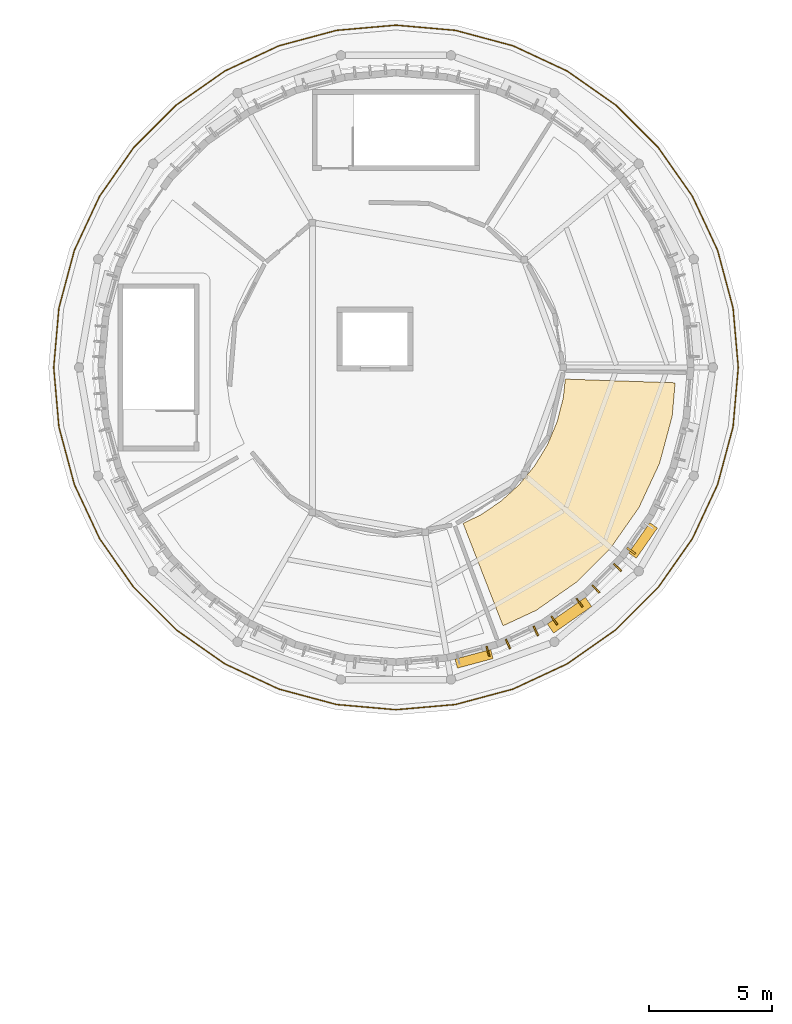
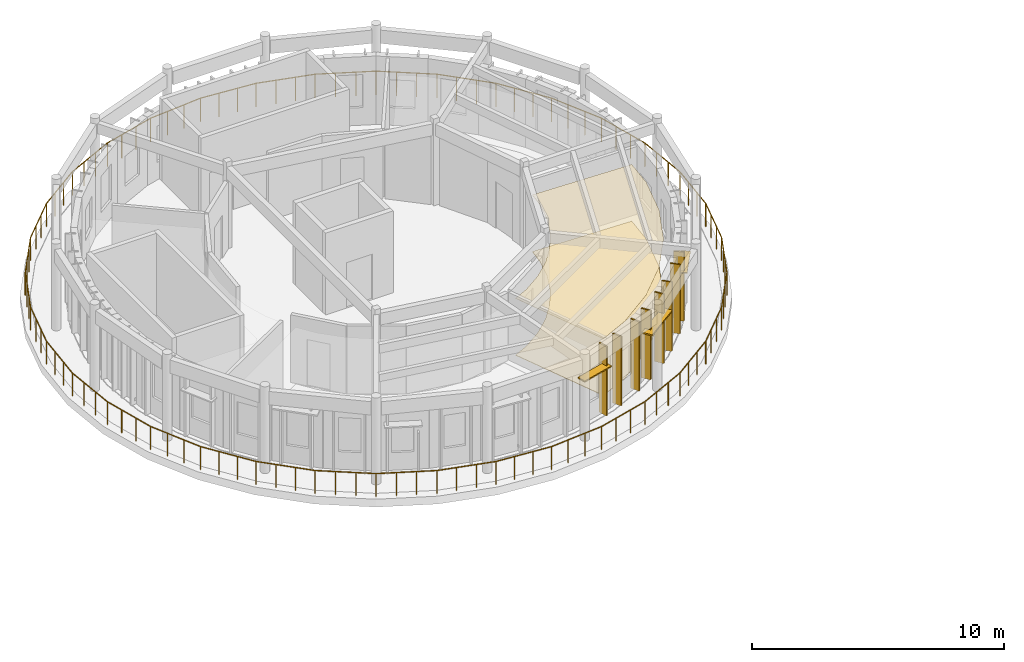
# One storey, part 13 of 14: 11 shading devices, 2 coverings, 1 railing.
"""IFC4 building model written with IfcOpenShell, lengths in metres."""

from ifc_helpers import new_model, si_unit, direction, frame, origin, origin_2d, place, context, subcontext, project, spatial, polyline, rectangle, circle, outline, extrude, material, layer, layer_set, type_object, element, save


model = new_model("IFC4")

# Units and contexts
model_context = context("Model", 3, precision=1e-05, world=origin(), true_north=direction((0.0, 1.0)))
body_context = subcontext(model_context, "Body", "Model", "MODEL_VIEW")
ifc_project = project(units=[si_unit("LENGTHUNIT", "METRE"), si_unit("AREAUNIT", "SQUARE_METRE"), si_unit("VOLUMEUNIT", "CUBIC_METRE"), si_unit("PLANEANGLEUNIT", "RADIAN"), si_unit("MASSUNIT", "GRAM", prefix="KILO")], contexts=[model_context])

# Site, building, storey
site_placement = place(None, origin())
site = spatial("IfcSite", under=ifc_project, at=site_placement, CompositionType="ELEMENT")
building_placement = place(site_placement, origin())
building = spatial("IfcBuilding", under=site, at=building_placement, Name="Aldenvaro Health Centre", CompositionType="ELEMENT")
storey_placement = place(building_placement, frame((0.0, 0.0, 21.35009765625)))
storey = spatial("IfcBuildingStorey", under=building, at=storey_placement, Name="L05", CompositionType="ELEMENT", Elevation=21.35009765625)

# Coverings
ifc_material_1 = material(Name="Antimicrobial Mineral Fibre Ceiling")
ifc_layer_1 = layer(ifc_material_1, 0.01806640625, Name="Antimicrobial Mineral Fibre Ceiling")
ifc_layer_set_1 = layer_set([ifc_layer_1], Name="Antimicrobial Mineral Fibre Ceiling")
covering_type_1 = type_object("IfcCoveringType", Name="COV-CLG-ACT18", PredefinedType="CEILING", material=ifc_layer_set_1)
covering_1_placement = place(storey_placement, frame((0.0, 0.0, 2.75)))
element("IfcCovering", 1, at=covering_1_placement, inside=storey, type_object=covering_type_1, Name="D4-L05-R03 Suspended Ceiling", PredefinedType="CEILING", context=body_context, shape_type="SweptSolid", body=[
    extrude(outline(polyline([(21.90087890625, 93.486083984375), (21.931884765625, 93.5029296875), (22.738037109375, 94.04296875), (22.76611328125, 94.06494140625), (23.485107421875, 94.716064453125), (23.510009765625, 94.740966796875), (24.126953125, 95.490966796875), (24.14697265625, 95.51904296875), (24.64892578125, 96.35009765625), (24.6650390625, 96.381103515625), (25.0419921875, 97.27587890625), (25.052978515625, 97.30908203125), (25.294921875, 98.2490234375), (25.301025390625, 98.282958984375), (25.381103515625, 99.027099609375), (29.843994140625, 98.875), (29.72607421875, 97.52099609375), (29.2109375, 95.60205078125), (28.3720703125, 93.801025390625), (27.23193359375, 92.174072265625), (25.825927734375, 90.76806640625), (24.198974609375, 89.6279296875), (22.84912109375, 88.9990234375), (21.22607421875, 93.1640625), (21.90087890625, 93.486083984375)])), origin(), (0.0, 0.0, 1.0), 0.017822265625),
])
ifc_material_2 = material(Name="Polished Epoxy Terrazzo Flooring")
ifc_layer_2 = layer(ifc_material_2, 0.02197265625, Name="Polished Epoxy Terrazzo Flooring")
ifc_layer_set_2 = layer_set([ifc_layer_2], Name="Polished Epoxy Terrazzo Flooring")
covering_type_2 = type_object("IfcCoveringType", Name="COV-FLR-TER22", PredefinedType="FLOORING", material=ifc_layer_set_2)
covering_2_placement = place(storey_placement, origin())
element("IfcCovering", 2, at=covering_2_placement, inside=storey, type_object=covering_type_2, Name="D4-L05-R03 Flooring", PredefinedType="FLOORING", context=body_context, shape_type="SweptSolid", body=[
    extrude(outline(polyline([(21.90087890625, 93.486083984375), (21.931884765625, 93.5029296875), (22.738037109375, 94.04296875), (22.76611328125, 94.06494140625), (23.485107421875, 94.716064453125), (23.510009765625, 94.740966796875), (24.126953125, 95.490966796875), (24.14697265625, 95.51904296875), (24.64892578125, 96.35009765625), (24.6650390625, 96.381103515625), (25.0419921875, 97.27587890625), (25.052978515625, 97.30908203125), (25.294921875, 98.2490234375), (25.301025390625, 98.282958984375), (25.381103515625, 99.027099609375), (29.843994140625, 98.875), (29.72607421875, 97.52099609375), (29.2109375, 95.60205078125), (28.3720703125, 93.801025390625), (27.23193359375, 92.174072265625), (25.825927734375, 90.76806640625), (24.198974609375, 89.6279296875), (22.84912109375, 88.9990234375), (21.22607421875, 93.1640625), (21.90087890625, 93.486083984375)])), origin(), (0.0, 0.0, 1.0), 0.02197265625),
])

# Railing
ifc_material_3 = material(Name="Painted Architectural Steel", Category="steel")
railing_type = type_object("IfcRailingType", Name="RL-BAL-115", PredefinedType="GUARDRAIL", material=ifc_material_3)
railing_placement = place(storey_placement, frame((32.198974609375, 97.0849609375, 0.0)))
element("IfcRailing", 3, at=railing_placement, inside=storey, type_object=railing_type, Name="D4 L05 recovery terrace guardrail 1", PredefinedType="GUARDRAIL", context=body_context, shape_type="SweptSolid", body=[
    extrude(circle(Radius=0.02392578125, at=origin_2d()), frame((0.0, 0.0, 1.1357421875), z_axis=(-0.258865208693, -0.96591345561, 0.0), x_axis=(0.96591345561, -0.258865208693, 0.0)), (0.0, 0.0, 1.0), 2.42578125),
    extrude(circle(Radius=0.02392578125, at=origin_2d()), frame((-0.6279296875, -2.343017578125, 1.1357421875), z_axis=(-0.422427751559, -0.906396599019, 0.0), x_axis=(0.906396599019, -0.422427751559, 0.0)), (0.0, 0.0, 1.0), 2.423828125),
    extrude(circle(Radius=0.02392578125, at=origin_2d()), frame((-1.65185546875, -4.5400390625, 1.1357421875), z_axis=(-0.57374614129, -0.81903318941, 0.0), x_axis=(0.81903318941, -0.57374614129, 0.0)), (0.0, 0.0, 1.0), 2.424560546875),
    extrude(circle(Radius=0.02392578125, at=origin_2d()), frame((-3.04296875, -6.52587890625, 1.1357421875), z_axis=(-0.707106781187, -0.707106781187, 0.0), x_axis=(0.707106781187, -0.707106781187, 0.0)), (0.0, 0.0, 1.0), 2.425537109375),
    extrude(circle(Radius=0.02392578125, at=origin_2d()), frame((-4.758056640625, -8.240966796875, 1.1357421875), z_axis=(-0.81903318941, -0.57374614129, 0.0), x_axis=(0.57374614129, -0.81903318941, 0.0)), (0.0, 0.0, 1.0), 2.424560546875),
    extrude(circle(Radius=0.02392578125, at=origin_2d()), frame((-6.743896484375, -9.632080078125, 1.1357421875), z_axis=(-0.906396599019, -0.422427751559, 0.0), x_axis=(0.422427751559, -0.906396599019, 0.0)), (0.0, 0.0, 1.0), 2.423828125),
    extrude(circle(Radius=0.02392578125, at=origin_2d()), frame((-8.94091796875, -10.656005859375, 1.1357421875), z_axis=(-0.96591345561, -0.258865208693, 0.0), x_axis=(0.258865208693, -0.96591345561, 0.0)), (0.0, 0.0, 1.0), 2.42578125),
    extrude(circle(Radius=0.02392578125, at=origin_2d()), frame((-11.283935546875, -11.283935546875, 1.1357421875), z_axis=(-0.996207260246, -0.087012037288, 0.0), x_axis=(0.087012037288, -0.996207260246, 0.0)), (0.0, 0.0, 1.0), 2.42431640625),
    extrude(circle(Radius=0.02392578125, at=origin_2d()), frame((-13.698974609375, -11.494873046875, 1.1357421875), z_axis=(-0.996207260246, 0.087012037288, 0.0), x_axis=(-0.087012037288, -0.996207260246, 0.0)), (0.0, 0.0, 1.0), 2.42431640625),
    extrude(circle(Radius=0.02392578125, at=origin_2d()), frame((-16.114013671875, -11.283935546875, 1.1357421875), z_axis=(-0.96591345561, 0.258865208693, 0.0), x_axis=(-0.258865208693, -0.96591345561, 0.0)), (0.0, 0.0, 1.0), 2.42578125),
    extrude(circle(Radius=0.02392578125, at=origin_2d()), frame((-18.45703125, -10.656005859375, 1.1357421875), z_axis=(-0.906396599019, 0.422427751559, 0.0), x_axis=(-0.422427751559, -0.906396599019, 0.0)), (0.0, 0.0, 1.0), 2.423828125),
    extrude(circle(Radius=0.02392578125, at=origin_2d()), frame((-20.654052734375, -9.632080078125, 1.1357421875), z_axis=(-0.81903318941, 0.57374614129, 0.0), x_axis=(-0.57374614129, -0.81903318941, 0.0)), (0.0, 0.0, 1.0), 2.424560546875),
    extrude(circle(Radius=0.02392578125, at=origin_2d()), frame((-22.639892578125, -8.240966796875, 1.1357421875), z_axis=(-0.707106781187, 0.707106781187, 0.0), x_axis=(-0.707106781187, -0.707106781187, 0.0)), (0.0, 0.0, 1.0), 2.425537109375),
    extrude(circle(Radius=0.02392578125, at=origin_2d()), frame((-24.35498046875, -6.52587890625, 1.1357421875), z_axis=(-0.57374614129, 0.81903318941, 0.0), x_axis=(-0.81903318941, -0.57374614129, 0.0)), (0.0, 0.0, 1.0), 2.424560546875),
    extrude(circle(Radius=0.02392578125, at=origin_2d()), frame((-25.74609375, -4.5400390625, 1.1357421875), z_axis=(-0.422427751559, 0.906396599019, 0.0), x_axis=(-0.906396599019, -0.422427751559, 0.0)), (0.0, 0.0, 1.0), 2.423828125),
    extrude(circle(Radius=0.02392578125, at=origin_2d()), frame((-26.77001953125, -2.343017578125, 1.1357421875), z_axis=(-0.258865208693, 0.96591345561, 0.0), x_axis=(-0.96591345561, -0.258865208693, 0.0)), (0.0, 0.0, 1.0), 2.42578125),
    extrude(circle(Radius=0.02392578125, at=origin_2d()), frame((-27.39794921875, 0.0, 1.1357421875), z_axis=(-0.087012037288, 0.996207260246, 0.0), x_axis=(-0.996207260246, -0.087012037288, 0.0)), (0.0, 0.0, 1.0), 2.42431640625),
    extrude(circle(Radius=0.02392578125, at=origin_2d()), frame((-27.60888671875, 2.4150390625, 1.1357421875), z_axis=(0.087012037288, 0.996207260246, 0.0), x_axis=(-0.996207260246, 0.087012037288, 0.0)), (0.0, 0.0, 1.0), 2.42431640625),
    extrude(circle(Radius=0.02392578125, at=origin_2d()), frame((-27.39794921875, 4.830078125, 1.1357421875), z_axis=(0.258865208693, 0.96591345561, 0.0), x_axis=(-0.96591345561, 0.258865208693, 0.0)), (0.0, 0.0, 1.0), 2.42578125),
    extrude(circle(Radius=0.02392578125, at=origin_2d()), frame((-26.77001953125, 7.173095703125, 1.1357421875), z_axis=(0.422427751559, 0.906396599019, 0.0), x_axis=(-0.906396599019, 0.422427751559, 0.0)), (0.0, 0.0, 1.0), 2.423828125),
    extrude(circle(Radius=0.02392578125, at=origin_2d()), frame((-25.74609375, 9.3701171875, 1.1357421875), z_axis=(0.57374614129, 0.81903318941, 0.0), x_axis=(-0.81903318941, 0.57374614129, 0.0)), (0.0, 0.0, 1.0), 2.424560546875),
    extrude(circle(Radius=0.02392578125, at=origin_2d()), frame((-24.35498046875, 11.35595703125, 1.1357421875), z_axis=(0.707106781187, 0.707106781187, 0.0), x_axis=(-0.707106781187, 0.707106781187, 0.0)), (0.0, 0.0, 1.0), 2.425537109375),
    extrude(circle(Radius=0.02392578125, at=origin_2d()), frame((-22.639892578125, 13.071044921875, 1.1357421875), z_axis=(0.81903318941, 0.57374614129, 0.0), x_axis=(-0.57374614129, 0.81903318941, 0.0)), (0.0, 0.0, 1.0), 2.424560546875),
    extrude(circle(Radius=0.02392578125, at=origin_2d()), frame((-20.654052734375, 14.462158203125, 1.1357421875), z_axis=(0.906396599019, 0.422427751559, 0.0), x_axis=(-0.422427751559, 0.906396599019, 0.0)), (0.0, 0.0, 1.0), 2.423828125),
    extrude(circle(Radius=0.02392578125, at=origin_2d()), frame((-18.45703125, 15.486083984375, 1.1357421875), z_axis=(0.96591345561, 0.258865208693, 0.0), x_axis=(-0.258865208693, 0.96591345561, 0.0)), (0.0, 0.0, 1.0), 2.42578125),
    extrude(circle(Radius=0.02392578125, at=origin_2d()), frame((-16.114013671875, 16.114013671875, 1.1357421875), z_axis=(0.996207260246, 0.087012037288, 0.0), x_axis=(-0.087012037288, 0.996207260246, 0.0)), (0.0, 0.0, 1.0), 2.42431640625),
    extrude(circle(Radius=0.02392578125, at=origin_2d()), frame((-13.698974609375, 16.324951171875, 1.1357421875), z_axis=(0.996207260246, -0.087012037288, 0.0), x_axis=(0.087012037288, 0.996207260246, 0.0)), (0.0, 0.0, 1.0), 2.42431640625),
    extrude(circle(Radius=0.02392578125, at=origin_2d()), frame((-11.283935546875, 16.114013671875, 1.1357421875), z_axis=(0.96591345561, -0.258865208693, 0.0), x_axis=(0.258865208693, 0.96591345561, 0.0)), (0.0, 0.0, 1.0), 2.42578125),
    extrude(circle(Radius=0.02392578125, at=origin_2d()), frame((-8.94091796875, 15.486083984375, 1.1357421875), z_axis=(0.906396599019, -0.422427751559, 0.0), x_axis=(0.422427751559, 0.906396599019, 0.0)), (0.0, 0.0, 1.0), 2.423828125),
    extrude(circle(Radius=0.02392578125, at=origin_2d()), frame((-6.743896484375, 14.462158203125, 1.1357421875), z_axis=(0.81903318941, -0.57374614129, 0.0), x_axis=(0.57374614129, 0.81903318941, 0.0)), (0.0, 0.0, 1.0), 2.424560546875),
    extrude(circle(Radius=0.02392578125, at=origin_2d()), frame((-4.758056640625, 13.071044921875, 1.1357421875), z_axis=(0.707106781187, -0.707106781187, 0.0), x_axis=(0.707106781187, 0.707106781187, 0.0)), (0.0, 0.0, 1.0), 2.425537109375),
    extrude(circle(Radius=0.02392578125, at=origin_2d()), frame((-3.04296875, 11.35595703125, 1.1357421875), z_axis=(0.57374614129, -0.81903318941, 0.0), x_axis=(0.81903318941, 0.57374614129, 0.0)), (0.0, 0.0, 1.0), 2.424560546875),
    extrude(circle(Radius=0.02392578125, at=origin_2d()), frame((-1.65185546875, 9.3701171875, 1.1357421875), z_axis=(0.422427751559, -0.906396599019, 0.0), x_axis=(0.906396599019, 0.422427751559, 0.0)), (0.0, 0.0, 1.0), 2.423828125),
    extrude(circle(Radius=0.02392578125, at=origin_2d()), frame((-0.6279296875, 7.173095703125, 1.1357421875), z_axis=(0.258865208693, -0.96591345561, 0.0), x_axis=(0.96591345561, 0.258865208693, 0.0)), (0.0, 0.0, 1.0), 2.42578125),
    extrude(circle(Radius=0.02392578125, at=origin_2d()), frame((0.0, 4.830078125, 1.1357421875), z_axis=(0.087012037288, -0.996207260246, 0.0), x_axis=(0.996207260246, 0.087012037288, 0.0)), (0.0, 0.0, 1.0), 2.42431640625),
    extrude(circle(Radius=0.02392578125, at=origin_2d()), frame((0.2109375, 2.4150390625, 1.1357421875), z_axis=(-0.087012037288, -0.996207260246, 0.0), x_axis=(0.996207260246, -0.087012037288, 0.0)), (0.0, 0.0, 1.0), 2.42431640625),
    extrude(circle(Radius=0.02099609375, at=origin_2d()), origin(), (0.0, 0.0, 1.0), 1.11181640625),
    extrude(circle(Radius=0.02099609375, at=origin_2d()), frame((-0.209228515625, -0.781005859375, 0.0)), (0.0, 0.0, 1.0), 1.11181640625),
    extrude(circle(Radius=0.02099609375, at=origin_2d()), frame((-0.418701171875, -1.56201171875, 0.0)), (0.0, 0.0, 1.0), 1.11181640625),
    extrude(circle(Radius=0.02099609375, at=origin_2d()), frame((-0.6279296875, -2.343017578125, 0.0)), (0.0, 0.0, 1.0), 1.11181640625),
    extrude(circle(Radius=0.02099609375, at=origin_2d()), frame((-0.96923828125, -3.075439453125, 0.0)), (0.0, 0.0, 1.0), 1.11181640625),
    extrude(circle(Radius=0.02099609375, at=origin_2d()), frame((-1.310546875, -3.8076171875, 0.0)), (0.0, 0.0, 1.0), 1.11181640625),
    extrude(circle(Radius=0.02099609375, at=origin_2d()), frame((-1.65185546875, -4.5400390625, 0.0)), (0.0, 0.0, 1.0), 1.11181640625),
    extrude(circle(Radius=0.02099609375, at=origin_2d()), frame((-2.115478515625, -5.201904296875, 0.0)), (0.0, 0.0, 1.0), 1.11181640625),
    extrude(circle(Radius=0.02099609375, at=origin_2d()), frame((-2.579345703125, -5.864013671875, 0.0)), (0.0, 0.0, 1.0), 1.11181640625),
    extrude(circle(Radius=0.02099609375, at=origin_2d()), frame((-3.04296875, -6.52587890625, 0.0)), (0.0, 0.0, 1.0), 1.11181640625),
    extrude(circle(Radius=0.02099609375, at=origin_2d()), frame((-3.61474609375, -7.09765625, 0.0)), (0.0, 0.0, 1.0), 1.11181640625),
    extrude(circle(Radius=0.02099609375, at=origin_2d()), frame((-4.186279296875, -7.669189453125, 0.0)), (0.0, 0.0, 1.0), 1.11181640625),
    extrude(circle(Radius=0.02099609375, at=origin_2d()), frame((-4.758056640625, -8.240966796875, 0.0)), (0.0, 0.0, 1.0), 1.11181640625),
    extrude(circle(Radius=0.02099609375, at=origin_2d()), frame((-5.419921875, -8.70458984375, 0.0)), (0.0, 0.0, 1.0), 1.11181640625),
    extrude(circle(Radius=0.02099609375, at=origin_2d()), frame((-6.08203125, -9.16845703125, 0.0)), (0.0, 0.0, 1.0), 1.11181640625),
    extrude(circle(Radius=0.02099609375, at=origin_2d()), frame((-6.743896484375, -9.632080078125, 0.0)), (0.0, 0.0, 1.0), 1.11181640625),
    extrude(circle(Radius=0.02099609375, at=origin_2d()), frame((-7.476318359375, -9.973388671875, 0.0)), (0.0, 0.0, 1.0), 1.11181640625),
    extrude(circle(Radius=0.02099609375, at=origin_2d()), frame((-8.20849609375, -10.314697265625, 0.0)), (0.0, 0.0, 1.0), 1.11181640625),
    extrude(circle(Radius=0.02099609375, at=origin_2d()), frame((-8.94091796875, -10.656005859375, 0.0)), (0.0, 0.0, 1.0), 1.11181640625),
    extrude(circle(Radius=0.02099609375, at=origin_2d()), frame((-9.721923828125, -10.865234375, 0.0)), (0.0, 0.0, 1.0), 1.11181640625),
    extrude(circle(Radius=0.02099609375, at=origin_2d()), frame((-10.5029296875, -11.07470703125, 0.0)), (0.0, 0.0, 1.0), 1.11181640625),
    extrude(circle(Radius=0.02099609375, at=origin_2d()), frame((-11.283935546875, -11.283935546875, 0.0)), (0.0, 0.0, 1.0), 1.11181640625),
    extrude(circle(Radius=0.02099609375, at=origin_2d()), frame((-12.0888671875, -11.354248046875, 0.0)), (0.0, 0.0, 1.0), 1.11181640625),
    extrude(circle(Radius=0.02099609375, at=origin_2d()), frame((-12.89404296875, -11.424560546875, 0.0)), (0.0, 0.0, 1.0), 1.11181640625),
    extrude(circle(Radius=0.02099609375, at=origin_2d()), frame((-13.698974609375, -11.494873046875, 0.0)), (0.0, 0.0, 1.0), 1.11181640625),
    extrude(circle(Radius=0.02099609375, at=origin_2d()), frame((-14.50390625, -11.424560546875, 0.0)), (0.0, 0.0, 1.0), 1.11181640625),
    extrude(circle(Radius=0.02099609375, at=origin_2d()), frame((-15.30908203125, -11.354248046875, 0.0)), (0.0, 0.0, 1.0), 1.11181640625),
    extrude(circle(Radius=0.02099609375, at=origin_2d()), frame((-16.114013671875, -11.283935546875, 0.0)), (0.0, 0.0, 1.0), 1.11181640625),
    extrude(circle(Radius=0.02099609375, at=origin_2d()), frame((-16.89501953125, -11.07470703125, 0.0)), (0.0, 0.0, 1.0), 1.11181640625),
    extrude(circle(Radius=0.02099609375, at=origin_2d()), frame((-17.676025390625, -10.865234375, 0.0)), (0.0, 0.0, 1.0), 1.11181640625),
    extrude(circle(Radius=0.02099609375, at=origin_2d()), frame((-18.45703125, -10.656005859375, 0.0)), (0.0, 0.0, 1.0), 1.11181640625),
    extrude(circle(Radius=0.02099609375, at=origin_2d()), frame((-19.189453125, -10.314697265625, 0.0)), (0.0, 0.0, 1.0), 1.11181640625),
    extrude(circle(Radius=0.02099609375, at=origin_2d()), frame((-19.921630859375, -9.973388671875, 0.0)), (0.0, 0.0, 1.0), 1.11181640625),
    extrude(circle(Radius=0.02099609375, at=origin_2d()), frame((-20.654052734375, -9.632080078125, 0.0)), (0.0, 0.0, 1.0), 1.11181640625),
    extrude(circle(Radius=0.02099609375, at=origin_2d()), frame((-21.31591796875, -9.16845703125, 0.0)), (0.0, 0.0, 1.0), 1.11181640625),
    extrude(circle(Radius=0.02099609375, at=origin_2d()), frame((-21.97802734375, -8.70458984375, 0.0)), (0.0, 0.0, 1.0), 1.11181640625),
    extrude(circle(Radius=0.02099609375, at=origin_2d()), frame((-22.639892578125, -8.240966796875, 0.0)), (0.0, 0.0, 1.0), 1.11181640625),
    extrude(circle(Radius=0.02099609375, at=origin_2d()), frame((-23.211669921875, -7.669189453125, 0.0)), (0.0, 0.0, 1.0), 1.11181640625),
    extrude(circle(Radius=0.02099609375, at=origin_2d()), frame((-23.783203125, -7.09765625, 0.0)), (0.0, 0.0, 1.0), 1.11181640625),
    extrude(circle(Radius=0.02099609375, at=origin_2d()), frame((-24.35498046875, -6.52587890625, 0.0)), (0.0, 0.0, 1.0), 1.11181640625),
    extrude(circle(Radius=0.02099609375, at=origin_2d()), frame((-24.818603515625, -5.864013671875, 0.0)), (0.0, 0.0, 1.0), 1.11181640625),
    extrude(circle(Radius=0.02099609375, at=origin_2d()), frame((-25.282470703125, -5.201904296875, 0.0)), (0.0, 0.0, 1.0), 1.11181640625),
    extrude(circle(Radius=0.02099609375, at=origin_2d()), frame((-25.74609375, -4.5400390625, 0.0)), (0.0, 0.0, 1.0), 1.11181640625),
    extrude(circle(Radius=0.02099609375, at=origin_2d()), frame((-26.08740234375, -3.8076171875, 0.0)), (0.0, 0.0, 1.0), 1.11181640625),
    extrude(circle(Radius=0.02099609375, at=origin_2d()), frame((-26.4287109375, -3.075439453125, 0.0)), (0.0, 0.0, 1.0), 1.11181640625),
    extrude(circle(Radius=0.02099609375, at=origin_2d()), frame((-26.77001953125, -2.343017578125, 0.0)), (0.0, 0.0, 1.0), 1.11181640625),
    extrude(circle(Radius=0.02099609375, at=origin_2d()), frame((-26.979248046875, -1.56201171875, 0.0)), (0.0, 0.0, 1.0), 1.11181640625),
    extrude(circle(Radius=0.02099609375, at=origin_2d()), frame((-27.188720703125, -0.781005859375, 0.0)), (0.0, 0.0, 1.0), 1.11181640625),
    extrude(circle(Radius=0.02099609375, at=origin_2d()), frame((-27.39794921875, 0.0, 0.0)), (0.0, 0.0, 1.0), 1.11181640625),
    extrude(circle(Radius=0.02099609375, at=origin_2d()), frame((-27.46826171875, 0.804931640625, 0.0)), (0.0, 0.0, 1.0), 1.11181640625),
    extrude(circle(Radius=0.02099609375, at=origin_2d()), frame((-27.53857421875, 1.610107421875, 0.0)), (0.0, 0.0, 1.0), 1.11181640625),
    extrude(circle(Radius=0.02099609375, at=origin_2d()), frame((-27.60888671875, 2.4150390625, 0.0)), (0.0, 0.0, 1.0), 1.11181640625),
    extrude(circle(Radius=0.02099609375, at=origin_2d()), frame((-27.53857421875, 3.219970703125, 0.0)), (0.0, 0.0, 1.0), 1.11181640625),
    extrude(circle(Radius=0.02099609375, at=origin_2d()), frame((-27.46826171875, 4.025146484375, 0.0)), (0.0, 0.0, 1.0), 1.11181640625),
    extrude(circle(Radius=0.02099609375, at=origin_2d()), frame((-27.39794921875, 4.830078125, 0.0)), (0.0, 0.0, 1.0), 1.11181640625),
    extrude(circle(Radius=0.02099609375, at=origin_2d()), frame((-27.188720703125, 5.611083984375, 0.0)), (0.0, 0.0, 1.0), 1.11181640625),
    extrude(circle(Radius=0.02099609375, at=origin_2d()), frame((-26.979248046875, 6.39208984375, 0.0)), (0.0, 0.0, 1.0), 1.11181640625),
    extrude(circle(Radius=0.02099609375, at=origin_2d()), frame((-26.77001953125, 7.173095703125, 0.0)), (0.0, 0.0, 1.0), 1.11181640625),
    extrude(circle(Radius=0.02099609375, at=origin_2d()), frame((-26.4287109375, 7.905517578125, 0.0)), (0.0, 0.0, 1.0), 1.11181640625),
    extrude(circle(Radius=0.02099609375, at=origin_2d()), frame((-26.08740234375, 8.6376953125, 0.0)), (0.0, 0.0, 1.0), 1.11181640625),
    extrude(circle(Radius=0.02099609375, at=origin_2d()), frame((-25.74609375, 9.3701171875, 0.0)), (0.0, 0.0, 1.0), 1.11181640625),
    extrude(circle(Radius=0.02099609375, at=origin_2d()), frame((-25.282470703125, 10.031982421875, 0.0)), (0.0, 0.0, 1.0), 1.11181640625),
    extrude(circle(Radius=0.02099609375, at=origin_2d()), frame((-24.818603515625, 10.694091796875, 0.0)), (0.0, 0.0, 1.0), 1.11181640625),
    extrude(circle(Radius=0.02099609375, at=origin_2d()), frame((-24.35498046875, 11.35595703125, 0.0)), (0.0, 0.0, 1.0), 1.11181640625),
    extrude(circle(Radius=0.02099609375, at=origin_2d()), frame((-23.783203125, 11.927734375, 0.0)), (0.0, 0.0, 1.0), 1.11181640625),
    extrude(circle(Radius=0.02099609375, at=origin_2d()), frame((-23.211669921875, 12.499267578125, 0.0)), (0.0, 0.0, 1.0), 1.11181640625),
    extrude(circle(Radius=0.02099609375, at=origin_2d()), frame((-22.639892578125, 13.071044921875, 0.0)), (0.0, 0.0, 1.0), 1.11181640625),
    extrude(circle(Radius=0.02099609375, at=origin_2d()), frame((-21.97802734375, 13.53466796875, 0.0)), (0.0, 0.0, 1.0), 1.11181640625),
    extrude(circle(Radius=0.02099609375, at=origin_2d()), frame((-21.31591796875, 13.99853515625, 0.0)), (0.0, 0.0, 1.0), 1.11181640625),
    extrude(circle(Radius=0.02099609375, at=origin_2d()), frame((-20.654052734375, 14.462158203125, 0.0)), (0.0, 0.0, 1.0), 1.11181640625),
    extrude(circle(Radius=0.02099609375, at=origin_2d()), frame((-19.921630859375, 14.803466796875, 0.0)), (0.0, 0.0, 1.0), 1.11181640625),
    extrude(circle(Radius=0.02099609375, at=origin_2d()), frame((-19.189453125, 15.144775390625, 0.0)), (0.0, 0.0, 1.0), 1.11181640625),
    extrude(circle(Radius=0.02099609375, at=origin_2d()), frame((-18.45703125, 15.486083984375, 0.0)), (0.0, 0.0, 1.0), 1.11181640625),
    extrude(circle(Radius=0.02099609375, at=origin_2d()), frame((-17.676025390625, 15.6953125, 0.0)), (0.0, 0.0, 1.0), 1.11181640625),
    extrude(circle(Radius=0.02099609375, at=origin_2d()), frame((-16.89501953125, 15.90478515625, 0.0)), (0.0, 0.0, 1.0), 1.11181640625),
    extrude(circle(Radius=0.02099609375, at=origin_2d()), frame((-16.114013671875, 16.114013671875, 0.0)), (0.0, 0.0, 1.0), 1.11181640625),
    extrude(circle(Radius=0.02099609375, at=origin_2d()), frame((-15.30908203125, 16.184326171875, 0.0)), (0.0, 0.0, 1.0), 1.11181640625),
    extrude(circle(Radius=0.02099609375, at=origin_2d()), frame((-14.50390625, 16.254638671875, 0.0)), (0.0, 0.0, 1.0), 1.11181640625),
    extrude(circle(Radius=0.02099609375, at=origin_2d()), frame((-13.698974609375, 16.324951171875, 0.0)), (0.0, 0.0, 1.0), 1.11181640625),
    extrude(circle(Radius=0.02099609375, at=origin_2d()), frame((-12.89404296875, 16.254638671875, 0.0)), (0.0, 0.0, 1.0), 1.11181640625),
    extrude(circle(Radius=0.02099609375, at=origin_2d()), frame((-12.0888671875, 16.184326171875, 0.0)), (0.0, 0.0, 1.0), 1.11181640625),
    extrude(circle(Radius=0.02099609375, at=origin_2d()), frame((-11.283935546875, 16.114013671875, 0.0)), (0.0, 0.0, 1.0), 1.11181640625),
    extrude(circle(Radius=0.02099609375, at=origin_2d()), frame((-10.5029296875, 15.90478515625, 0.0)), (0.0, 0.0, 1.0), 1.11181640625),
    extrude(circle(Radius=0.02099609375, at=origin_2d()), frame((-9.721923828125, 15.6953125, 0.0)), (0.0, 0.0, 1.0), 1.11181640625),
    extrude(circle(Radius=0.02099609375, at=origin_2d()), frame((-8.94091796875, 15.486083984375, 0.0)), (0.0, 0.0, 1.0), 1.11181640625),
    extrude(circle(Radius=0.02099609375, at=origin_2d()), frame((-8.20849609375, 15.144775390625, 0.0)), (0.0, 0.0, 1.0), 1.11181640625),
    extrude(circle(Radius=0.02099609375, at=origin_2d()), frame((-7.476318359375, 14.803466796875, 0.0)), (0.0, 0.0, 1.0), 1.11181640625),
    extrude(circle(Radius=0.02099609375, at=origin_2d()), frame((-6.743896484375, 14.462158203125, 0.0)), (0.0, 0.0, 1.0), 1.11181640625),
    extrude(circle(Radius=0.02099609375, at=origin_2d()), frame((-6.08203125, 13.99853515625, 0.0)), (0.0, 0.0, 1.0), 1.11181640625),
    extrude(circle(Radius=0.02099609375, at=origin_2d()), frame((-5.419921875, 13.53466796875, 0.0)), (0.0, 0.0, 1.0), 1.11181640625),
    extrude(circle(Radius=0.02099609375, at=origin_2d()), frame((-4.758056640625, 13.071044921875, 0.0)), (0.0, 0.0, 1.0), 1.11181640625),
    extrude(circle(Radius=0.02099609375, at=origin_2d()), frame((-4.186279296875, 12.499267578125, 0.0)), (0.0, 0.0, 1.0), 1.11181640625),
    extrude(circle(Radius=0.02099609375, at=origin_2d()), frame((-3.61474609375, 11.927734375, 0.0)), (0.0, 0.0, 1.0), 1.11181640625),
    extrude(circle(Radius=0.02099609375, at=origin_2d()), frame((-3.04296875, 11.35595703125, 0.0)), (0.0, 0.0, 1.0), 1.11181640625),
    extrude(circle(Radius=0.02099609375, at=origin_2d()), frame((-2.579345703125, 10.694091796875, 0.0)), (0.0, 0.0, 1.0), 1.11181640625),
    extrude(circle(Radius=0.02099609375, at=origin_2d()), frame((-2.115478515625, 10.031982421875, 0.0)), (0.0, 0.0, 1.0), 1.11181640625),
    extrude(circle(Radius=0.02099609375, at=origin_2d()), frame((-1.65185546875, 9.3701171875, 0.0)), (0.0, 0.0, 1.0), 1.11181640625),
    extrude(circle(Radius=0.02099609375, at=origin_2d()), frame((-1.310546875, 8.6376953125, 0.0)), (0.0, 0.0, 1.0), 1.11181640625),
    extrude(circle(Radius=0.02099609375, at=origin_2d()), frame((-0.96923828125, 7.905517578125, 0.0)), (0.0, 0.0, 1.0), 1.11181640625),
    extrude(circle(Radius=0.02099609375, at=origin_2d()), frame((-0.6279296875, 7.173095703125, 0.0)), (0.0, 0.0, 1.0), 1.11181640625),
    extrude(circle(Radius=0.02099609375, at=origin_2d()), frame((-0.418701171875, 6.39208984375, 0.0)), (0.0, 0.0, 1.0), 1.11181640625),
    extrude(circle(Radius=0.02099609375, at=origin_2d()), frame((-0.209228515625, 5.611083984375, 0.0)), (0.0, 0.0, 1.0), 1.11181640625),
    extrude(circle(Radius=0.02099609375, at=origin_2d()), frame((0.0, 4.830078125, 0.0)), (0.0, 0.0, 1.0), 1.11181640625),
    extrude(circle(Radius=0.02099609375, at=origin_2d()), frame((0.0703125, 4.025146484375, 0.0)), (0.0, 0.0, 1.0), 1.11181640625),
    extrude(circle(Radius=0.02099609375, at=origin_2d()), frame((0.140625, 3.219970703125, 0.0)), (0.0, 0.0, 1.0), 1.11181640625),
    extrude(circle(Radius=0.02099609375, at=origin_2d()), frame((0.2109375, 2.4150390625, 0.0)), (0.0, 0.0, 1.0), 1.11181640625),
    extrude(circle(Radius=0.02099609375, at=origin_2d()), frame((0.140625, 1.610107421875, 0.0)), (0.0, 0.0, 1.0), 1.11181640625),
    extrude(circle(Radius=0.02099609375, at=origin_2d()), frame((0.0703125, 0.804931640625, 0.0)), (0.0, 0.0, 1.0), 1.11181640625),
])

# Shading devices
ifc_material_4 = material(Name="Douglas Fir Exterior Glulam GL28h", Category="wood")
shading_device_type_1 = type_object("IfcShadingDeviceType", Name="SHD-FIN-340", PredefinedType="USERDEFINED", material=ifc_material_4)
shading_device_1_placement = place(storey_placement, frame((28.06103515625, 92.04296875, -0.02001953125), z_axis=(0.0, 0.0, 1.0), x_axis=(-0.57355873574, -0.819164438106, 0.0)))
element("IfcShadingDevice", 4, at=shading_device_1_placement, inside=storey, type_object=shading_device_type_1, Name="D4 L05 Douglas fir fin 3.3", ObjectType="FIN", PredefinedType="USERDEFINED", context=body_context, shape_type="SweptSolid", body=[
    extrude(rectangle(XDim=0.074951171875, YDim=0.419921875, at=origin_2d()), origin(), (0.0, 0.0, 1.0), 3.35400390625),
])
shading_device_type_2 = type_object("IfcShadingDeviceType", Name="SHD-FIN-400", PredefinedType="USERDEFINED", material=ifc_material_4)
shading_device_2_placement = place(storey_placement, frame((22.237060546875, 87.964111328125, -0.02001953125), z_axis=(0.0, 0.0, 1.0), x_axis=(-0.965980105029, -0.258616389055, 0.0)))
element("IfcShadingDevice", 5, at=shading_device_2_placement, inside=storey, type_object=shading_device_type_2, Name="D4 L05 Douglas fir fin 7.1", ObjectType="FIN", PredefinedType="USERDEFINED", context=body_context, shape_type="SweptSolid", body=[
    extrude(rectangle(XDim=0.06494140625, YDim=0.419921875, at=origin_2d()), origin(), (0.0, 0.0, 1.0), 3.35400390625),
])
shading_device_type_3 = type_object("IfcShadingDeviceType", Name="SHD-FIN-420", PredefinedType="USERDEFINED", material=ifc_material_4)
for number, where, z_axis, x_axis, name in (
    (6, (24.18310546875, 88.7890625, -0.02001953125), (0.0, 0.0, 1.0), (-0.906256509994, -0.422728208301, 0.0), "D4 L05 Douglas fir fin 6.1"),
    (7, (23.052001953125, 88.260986328125, -0.02001953125), (0.0, 0.0, 1.0), (-0.906256509994, -0.422728208301, 0.0), "D4 L05 Douglas fir fin 6.3"),
):
    element("IfcShadingDevice", number, at=place(storey_placement, frame(where, z_axis=z_axis, x_axis=x_axis)), inside=storey, type_object=shading_device_type_3, Name=name, ObjectType="FIN", PredefinedType="USERDEFINED", context=body_context, shape_type="SweptSolid", body=[
        extrude(rectangle(XDim=0.06494140625, YDim=0.419921875, at=origin_2d()), origin(), (0.0, 0.0, 1.0), 3.35400390625),
    ])
shading_device_type_4 = type_object("IfcShadingDeviceType", Name="SHD-FIN-435", PredefinedType="USERDEFINED", material=ifc_material_4)
for number, where, z_axis, x_axis, name in (
    (8, (25.95703125, 89.93896484375, -0.02001953125), (0.0, 0.0, 1.0), (-0.819164438106, -0.57355873574, 0.0), "D4 L05 Douglas fir fin 5.1"),
    (9, (24.93408203125, 89.222900390625, -0.02001953125), (0.0, 0.0, 1.0), (-0.819164438106, -0.57355873574, 0.0), "D4 L05 Douglas fir fin 5.3"),
):
    element("IfcShadingDevice", number, at=place(storey_placement, frame(where, z_axis=z_axis, x_axis=x_axis)), inside=storey, type_object=shading_device_type_4, Name=name, ObjectType="FIN", PredefinedType="USERDEFINED", context=body_context, shape_type="SweptSolid", body=[
        extrude(rectangle(XDim=0.06494140625, YDim=0.419921875, at=origin_2d()), origin(), (0.0, 0.0, 1.0), 3.35400390625),
    ])
shading_device_type_5 = type_object("IfcShadingDeviceType", Name="SHD-FIN-455", PredefinedType="USERDEFINED", material=ifc_material_4)
for number, where, z_axis, x_axis, name in (
    (10, (27.50390625, 91.3779296875, -0.02001953125), (0.0, 0.0, 1.0), (-0.707106781187, -0.707106781187, 0.0), "D4 L05 Douglas fir fin 4.1"),
    (11, (26.6220703125, 90.49609375, -0.02001953125), (0.0, 0.0, 1.0), (-0.707106781187, -0.707106781187, 0.0), "D4 L05 Douglas fir fin 4.3"),
):
    element("IfcShadingDevice", number, at=place(storey_placement, frame(where, z_axis=z_axis, x_axis=x_axis)), inside=storey, type_object=shading_device_type_5, Name=name, ObjectType="FIN", PredefinedType="USERDEFINED", context=body_context, shape_type="SweptSolid", body=[
        extrude(rectangle(XDim=0.06494140625, YDim=0.419921875, at=origin_2d()), origin(), (0.0, 0.0, 1.0), 3.35400390625),
    ])
shading_device_type_6 = type_object("IfcShadingDeviceType", Name="SHD-LVR-150", PredefinedType="JALOUSIE", material=ifc_material_4)
for number, where, z_axis, x_axis, name in (
    (12, (28.5419921875, 92.468017578125, 2.3525390625), (0.0, 0.0, 1.0), (-0.57355873574, -0.819164438106, 0.0), "D4 L05 horizontal solar louvre 03"),
    (13, (21.673095703125, 87.657958984375, 2.3525390625), (0.0, 0.0, 1.0), (-0.965980105029, -0.258616389055, 0.0), "D4 L05 horizontal solar louvre 07"),
):
    element("IfcShadingDevice", number, at=place(storey_placement, frame(where, z_axis=z_axis, x_axis=x_axis)), inside=storey, type_object=shading_device_type_6, Name=name, PredefinedType="JALOUSIE", context=body_context, shape_type="SweptSolid", body=[
        extrude(rectangle(XDim=1.5, YDim=0.3798828125, at=origin_2d()), origin(), (0.0, 0.0, 1.0), 0.054931640625),
    ])
shading_device_type_7 = type_object("IfcShadingDeviceType", Name="SHD-LVR-190", PredefinedType="JALOUSIE", material=ifc_material_4)
shading_device_3_placement = place(storey_placement, frame((25.552001953125, 89.428955078125, 2.347412109375), z_axis=(0.0, 0.0, 1.0), x_axis=(-0.819164438106, -0.57355873574, 0.0)))
element("IfcShadingDevice", 14, at=shading_device_3_placement, inside=storey, type_object=shading_device_type_7, Name="D4 L05 horizontal solar louvre 05", PredefinedType="JALOUSIE", context=body_context, shape_type="SweptSolid", body=[
    extrude(rectangle(XDim=1.888671875, YDim=0.449951171875, at=origin_2d()), origin(), (0.0, 0.0, 1.0), 0.06494140625),
])

save(model, "model.ifc")
